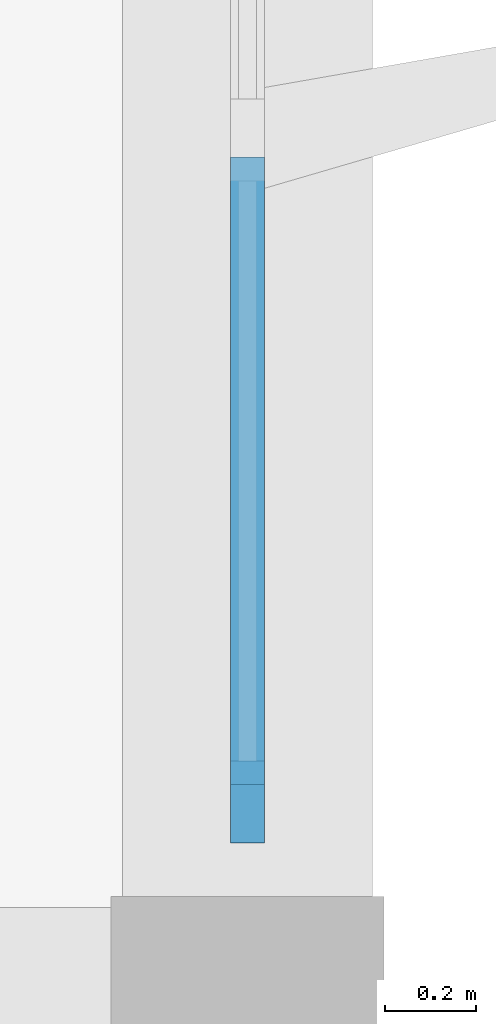
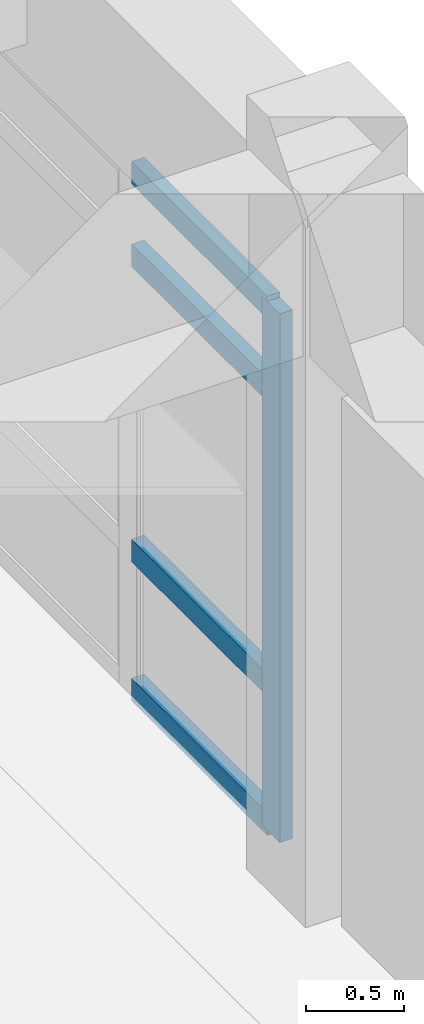
# One storey, part 34 of 86: 5 members, 1 element without a shape of its own.
"""IFC4 building model written with IfcOpenShell, lengths in metres."""

import ifcopenshell
import ifcopenshell.guid

model = None  # the IFC model being written
_history = None  # IfcOwnerHistory: only IFC2X3 demands one
_inside = {}  # id of a spatial element -> (the spatial element, [elements in it])
_under = {}  # id of a project, library or spatial element -> (it, [spatial elements below it])
_declared = {}  # id of a project -> (the project, [libraries it declares])
_typed = {}  # id of a type object -> (the type object, [elements of that type])
_made_of = {}  # id of a material, layer set ... -> (it, [elements and type objects made of it])


def new_model(schema):
    """Start an empty IFC model of exactly this schema.

    Asked for "IFC4X3", IfcOpenShell would pick the latest addendum, in which some entities
    have other attributes; the version numbers below select the first issue.
    IFC2X3 requires an IfcOwnerHistory on every rooted entity: one is made here for all.
    """
    global model, _history
    if schema == "IFC4X3":
        model = ifcopenshell.file(schema_version=(4, 3, 0, 0))
    else:
        model = ifcopenshell.file(schema=schema)
    _inside.clear()
    _under.clear()
    _declared.clear()
    _typed.clear()
    _made_of.clear()
    _history = None
    if model.schema == "IFC2X3":
        org = make("IfcOrganization", Name="unknown")
        user = make(
            "IfcPersonAndOrganization",
            ThePerson=make("IfcPerson", FamilyName="unknown"),
            TheOrganization=org,
        )
        app = make(
            "IfcApplication",
            ApplicationDeveloper=org,
            Version="unknown",
            ApplicationFullName="unknown",
            ApplicationIdentifier="unknown",
        )
        _history = make(
            "IfcOwnerHistory",
            OwningUser=user,
            OwningApplication=app,
            ChangeAction="ADDED",
            CreationDate=0,
        )
    return model


def make(cls, **values):
    """One entity of the class cls with the attributes given. An attribute that is None is left unset."""
    return model.create_entity(
        cls, **{name: value for name, value in values.items() if value is not None}
    )


def rooted(cls, **values):
    """An entity with a GlobalId (a new one), such as an element, a storey or a relation."""
    return make(cls, GlobalId=ifcopenshell.guid.new(), OwnerHistory=_history, **values)


def si_unit(unit_type, name, prefix=None):
    """IfcSIUnit, for example si_unit("LENGTHUNIT", "METRE", prefix="MILLI")."""
    return make("IfcSIUnit", UnitType=unit_type, Prefix=prefix, Name=name)


def assignment(units):
    """IfcUnitAssignment: the units of a project."""
    return None if units is None else make("IfcUnitAssignment", Units=units)


def point(xyz):
    """IfcCartesianPoint."""
    return None if xyz is None else make("IfcCartesianPoint", Coordinates=xyz)


def direction(xyz):
    """IfcDirection."""
    return None if xyz is None else make("IfcDirection", DirectionRatios=xyz)


def frame(location, z_axis=None, x_axis=None):
    """IfcAxis2Placement3D, a coordinate frame: its origin and axes. An axis left out is left unset."""
    return make(
        "IfcAxis2Placement3D",
        Location=point(location),
        Axis=direction(z_axis),
        RefDirection=direction(x_axis),
    )


def frame_2d(location, x_axis=None):
    """IfcAxis2Placement2D, a coordinate frame in the plane: its origin and x axis."""
    return make(
        "IfcAxis2Placement2D", Location=point(location), RefDirection=direction(x_axis)
    )


def origin():
    """The frame at (0, 0, 0) with its axes left unset."""
    return frame((0.0, 0.0, 0.0))


def origin_2d():
    """The frame at (0, 0) in the plane with its x axis left unset."""
    return frame_2d((0.0, 0.0))


def place(relative_to, where):
    """IfcLocalPlacement: puts the frame where relative to a parent placement (None: the world)."""
    return make(
        "IfcLocalPlacement", PlacementRelTo=relative_to, RelativePlacement=where
    )


def context(
    kind, dimensions, precision=None, world=None, true_north=None, identifier=None
):
    """IfcGeometricRepresentationContext, for example the 3D "Model" context."""
    return make(
        "IfcGeometricRepresentationContext",
        ContextIdentifier=identifier,
        ContextType=kind,
        CoordinateSpaceDimension=dimensions,
        Precision=precision,
        WorldCoordinateSystem=world,
        TrueNorth=true_north,
    )


def subcontext(parent, identifier, kind, view, scale=None):
    """IfcGeometricRepresentationSubContext, for example "Body" below "Model"."""
    return make(
        "IfcGeometricRepresentationSubContext",
        ContextIdentifier=identifier,
        ContextType=kind,
        ParentContext=parent,
        TargetScale=scale,
        TargetView=view,
    )


def project(units=None, contexts=None):
    """IfcProject with its units and contexts."""
    return rooted(
        "IfcProject",
        Name="project",
        RepresentationContexts=contexts,
        UnitsInContext=assignment(units),
    )


def spatial(cls, under=None, at=None, **own):
    """A site, building, storey or space (cls), placed at a placement, below another one or the project."""
    s = rooted(cls, ObjectPlacement=at, **own)
    if under is not None:
        _under.setdefault(under.id(), (under, []))[1].append(s)
    return s


def profile(cls, at=None, kind="AREA", **sizes):
    """A parametric profile (cls). Its sizes go by their IFC names, for example OverallWidth=200.0."""
    return make(cls, ProfileType=kind, Position=at, **sizes)


def rectangle(**sizes):
    """IfcRectangleProfileDef."""
    return profile("IfcRectangleProfileDef", **sizes)


def extrude(swept, where, along, depth):
    """IfcExtrudedAreaSolid: the profile swept, set in the frame where, extruded along a direction by depth."""
    return make(
        "IfcExtrudedAreaSolid",
        SweptArea=swept,
        Position=where,
        ExtrudedDirection=direction(along),
        Depth=depth,
    )


def shape(context_of_items, identifier, shape_type, items):
    """IfcShapeRepresentation: the items that make up one representation, for example the "Body"."""
    return make(
        "IfcShapeRepresentation",
        ContextOfItems=context_of_items,
        RepresentationIdentifier=identifier,
        RepresentationType=shape_type,
        Items=items,
    )


def material(Name=None, Category=None):
    """IfcMaterial."""
    return make("IfcMaterial", Name=Name, Category=Category)


def layer(
    of_material, thickness, ventilated=None, Name=None, Category=None, Priority=None
):
    """IfcMaterialLayer: one layer of a wall or slab, of a material (None: an air gap)."""
    return make(
        "IfcMaterialLayer",
        Material=of_material,
        LayerThickness=thickness,
        IsVentilated=ventilated,
        Name=Name,
        Category=Category,
        Priority=Priority,
    )


def layer_set(layers, Name=None):
    """IfcMaterialLayerSet."""
    return make("IfcMaterialLayerSet", MaterialLayers=layers, LayerSetName=Name)


def material_profile(
    of_material, cross_section, Name=None, Category=None, Priority=None
):
    """IfcMaterialProfile: a cross section and its material."""
    return make(
        "IfcMaterialProfile",
        Name=Name,
        Material=of_material,
        Profile=cross_section,
        Priority=Priority,
        Category=Category,
    )


def profile_set(profiles, Name=None, composite=None):
    """IfcMaterialProfileSet."""
    return make(
        "IfcMaterialProfileSet",
        Name=Name,
        MaterialProfiles=profiles,
        CompositeProfile=composite,
    )


def made_of(thing, what):
    """Note that an element or type object is made of a material, layer set ...; save() writes the relation."""
    if what is not None:
        _made_of.setdefault(what.id(), (what, []))[1].append(thing)
    return thing


def type_object(cls, material=None, **own):
    """A type object (cls), such as IfcWallType, which elements share."""
    return made_of(rooted(cls, **own), material)


def element(
    cls,
    number,
    at=None,
    inside=None,
    cuts=None,
    type_object=None,
    material=None,
    context=None,
    identifier="Body",
    shape_type=None,
    held_by="IfcProductDefinitionShape",
    body=None,
    shapes=None,
    **own,
):
    """One element of the class cls, such as IfcWall. Its Tag is "e" and its number.

    at: its placement. inside: the storey or other place that contains it. cuts: it is an
    opening in that element (IfcRelVoidsElement). A single representation is given by context,
    identifier, shape_type and body (its items); several are given by shapes. held_by: the class
    of the entity that holds the representations. save() writes the other relations.
    """
    e = rooted(cls, Tag="e%d" % number, ObjectPlacement=at, **own)
    if body is not None:
        shapes = [shape(context, identifier, shape_type, body)]
    if shapes is not None:
        e.Representation = make(held_by, Representations=shapes)
    if inside is not None:
        _inside.setdefault(inside.id(), (inside, []))[1].append(e)
    if cuts is not None:
        rooted(
            "IfcRelVoidsElement", RelatingBuildingElement=cuts, RelatedOpeningElement=e
        )
    if type_object is not None:
        _typed.setdefault(type_object.id(), (type_object, []))[1].append(e)
    return made_of(e, material)


def aggregate(whole, parts):
    """IfcRelAggregates: a whole, such as a stair, and the parts it consists of."""
    return rooted("IfcRelAggregates", RelatingObject=whole, RelatedObjects=parts)


def save(model, path):
    """Write the relations noted so far, then the file.

    IfcRelAggregates (storeys below a building ...), IfcRelContainedInSpatialStructure (elements
    in a storey), IfcRelDefinesByType, IfcRelAssociatesMaterial and IfcRelDeclares: one each for
    every whole, place, type object, material and project.
    """
    for whole, parts in _under.values():
        aggregate(whole, parts)
    for where, things in _inside.values():
        rooted(
            "IfcRelContainedInSpatialStructure",
            RelatedElements=things,
            RelatingStructure=where,
        )
    for kind, things in _typed.values():
        rooted("IfcRelDefinesByType", RelatedObjects=things, RelatingType=kind)
    for what, things in _made_of.values():
        rooted("IfcRelAssociatesMaterial", RelatedObjects=things, RelatingMaterial=what)
    for by, libraries in _declared.values():
        rooted("IfcRelDeclares", RelatingContext=by, RelatedDefinitions=libraries)
    model.write(path)


model = new_model("IFC4")

# Units and contexts
model_context = context("Model", 3, precision=1e-05, world=origin(), true_north=direction((0.0, 1.0)))
body_context = subcontext(model_context, "Body", "Model", "MODEL_VIEW")
ifc_project = project(units=[si_unit("LENGTHUNIT", "METRE"), si_unit("AREAUNIT", "SQUARE_METRE"), si_unit("VOLUMEUNIT", "CUBIC_METRE"), si_unit("PLANEANGLEUNIT", "RADIAN"), si_unit("MASSUNIT", "GRAM", prefix="KILO")], contexts=[model_context])

# Site, building, storey
site_placement = place(None, origin())
site = spatial("IfcSite", under=ifc_project, at=site_placement, CompositionType="ELEMENT")
building_placement = place(site_placement, origin())
building = spatial("IfcBuilding", under=site, at=building_placement, Name="Kolvemor Railside Polytechnic", CompositionType="ELEMENT")
storey_placement = place(building_placement, frame((0.0, 0.0, 5.39990234375)))
storey = spatial("IfcBuildingStorey", under=building, at=storey_placement, Name="L01", CompositionType="ELEMENT", Elevation=5.39990234375)

# Curtain wall, members
ifc_material_1 = material(Name="Anodised marine aluminium and laminated low-E glass", Category="aluminium")
ifc_layer = layer(ifc_material_1, 0.179931640625, Name="CW-UNIT-STD")
ifc_layer_set = layer_set([ifc_layer], Name="Anodised marine aluminium and laminated low-E glass")
curtain_wall_type = type_object("IfcCurtainWallType", Name="CW-UNIT-STD", PredefinedType="USERDEFINED", material=ifc_layer_set)
curtain_wall_placement = place(storey_placement, origin())
curtain_wall = element("IfcCurtainWall", 1, at=curtain_wall_placement, inside=storey, type_object=curtain_wall_type, Name="Curtain Wall L01-050", ObjectType="UNITISED CURTAIN WALL", PredefinedType="USERDEFINED")
ifc_material_2 = material(Name="Anodised marine aluminium 6063-T6", Category="aluminium")
ifc_material_profile_1 = material_profile(ifc_material_2, rectangle(XDim=0.074951171875, YDim=0.179931640625, at=origin_2d()), Name="CW-MUL-75x180")
ifc_profile_set_1 = profile_set([ifc_material_profile_1], Name="Anodised marine aluminium 6063-T6")
member_type_1 = type_object("IfcMemberType", Name="CWM-75x180", PredefinedType="MULLION", material=ifc_profile_set_1)
member_1_placement = place(storey_placement, frame((182.39990234375, 30.507568359375, 0.0), z_axis=(0.0, 0.0, 1.0), x_axis=(-1.0, 0.0, 0.0)))
member_1 = element("IfcMember", 2, at=member_1_placement, type_object=member_type_1, Name="CW-STD mullion 1", PredefinedType="MULLION", context=body_context, shape_type="SweptSolid", body=[
    extrude(rectangle(XDim=0.074951171875, YDim=0.179931640625, at=origin_2d()), origin(), (0.0, 0.0, 1.0), 3.280029296875),
])
ifc_material_3 = material(Name="Anodised marine aluminium 6063-T6", Category="aluminium")
ifc_material_profile_2 = material_profile(ifc_material_3, rectangle(XDim=0.074951171875, YDim=0.139892578125, at=origin_2d()), Name="CW-TRN-75x140")
ifc_profile_set_2 = profile_set([ifc_material_profile_2], Name="Anodised marine aluminium 6063-T6")
member_type_2 = type_object("IfcMemberType", Name="CWT-75x140", PredefinedType="USERDEFINED", material=ifc_profile_set_2)
member_2_placement = place(storey_placement, frame((182.39990234375, 30.544921875, 0.03759765625), z_axis=(0.0, 1.0, 0.0), x_axis=(-1.0, 0.0, 0.0)))
member_2 = element("IfcMember", 3, at=member_2_placement, type_object=member_type_2, Name="CW-STD transom 1.1", ObjectType="TRANSOM", PredefinedType="USERDEFINED", context=body_context, shape_type="SweptSolid", body=[
    extrude(rectangle(XDim=0.074951171875, YDim=0.139892578125, at=origin_2d()), origin(), (0.0, 0.0, 1.0), 1.379638671875),
])
member_3_placement = place(storey_placement, frame((182.39990234375, 30.544921875, 0.900146484375), z_axis=(0.0, 1.0, 0.0), x_axis=(-1.0, 0.0, 0.0)))
member_3 = element("IfcMember", 4, at=member_3_placement, type_object=member_type_2, Name="CW-STD transom 1.2", ObjectType="TRANSOM", PredefinedType="USERDEFINED", context=body_context, shape_type="SweptSolid", body=[
    extrude(rectangle(XDim=0.074951171875, YDim=0.139892578125, at=origin_2d()), origin(), (0.0, 0.0, 1.0), 1.379638671875),
])
member_4_placement = place(storey_placement, frame((182.39990234375, 30.544921875, 2.72998046875), z_axis=(0.0, 1.0, 0.0), x_axis=(-1.0, 0.0, 0.0)))
member_4 = element("IfcMember", 5, at=member_4_placement, type_object=member_type_2, Name="CW-STD transom 1.3", ObjectType="TRANSOM", PredefinedType="USERDEFINED", context=body_context, shape_type="SweptSolid", body=[
    extrude(rectangle(XDim=0.074951171875, YDim=0.139892578125, at=origin_2d()), origin(), (0.0, 0.0, 1.0), 1.379638671875),
])
member_5_placement = place(storey_placement, frame((182.39990234375, 30.544921875, 3.24267578125), z_axis=(0.0, 1.0, 0.0), x_axis=(-1.0, 0.0, 0.0)))
member_5 = element("IfcMember", 6, at=member_5_placement, type_object=member_type_2, Name="CW-STD transom 1.4", ObjectType="TRANSOM", PredefinedType="USERDEFINED", context=body_context, shape_type="SweptSolid", body=[
    extrude(rectangle(XDim=0.074951171875, YDim=0.139892578125, at=origin_2d()), origin(), (0.0, 0.0, 1.0), 1.379638671875),
])
aggregate(curtain_wall, [member_1, member_2, member_3, member_4, member_5])

save(model, "model.ifc")
